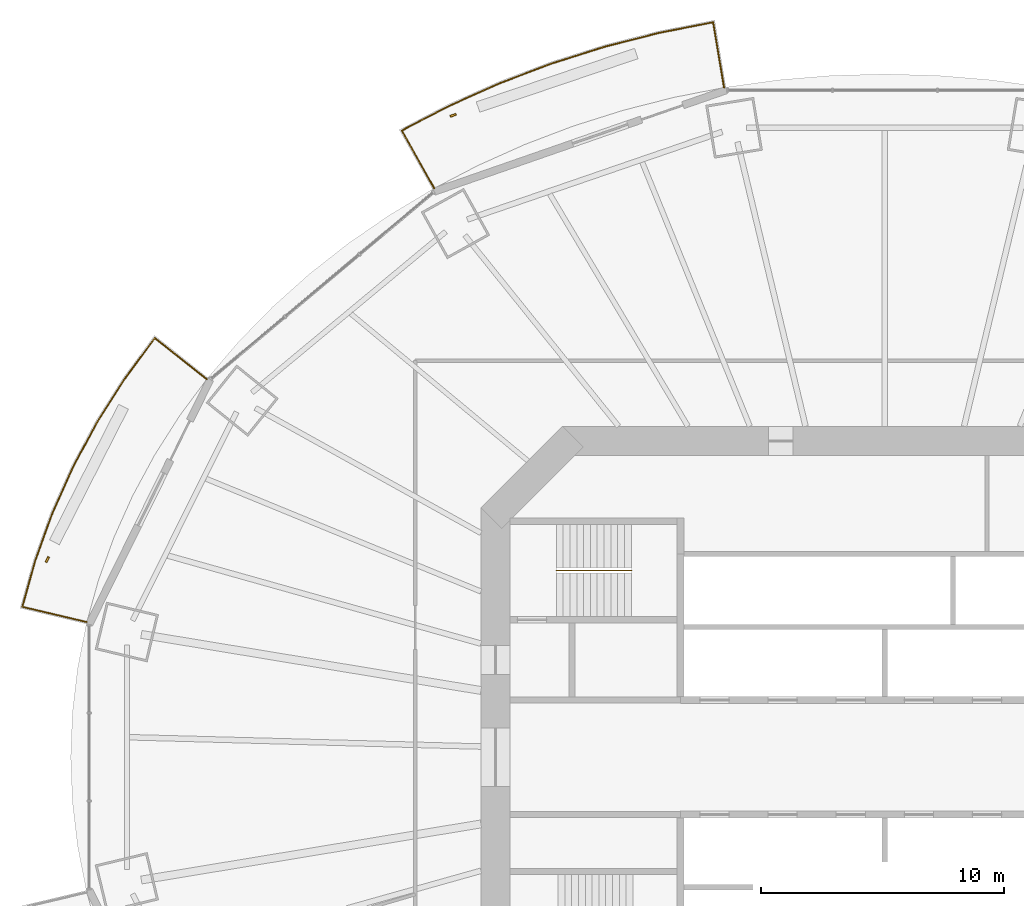
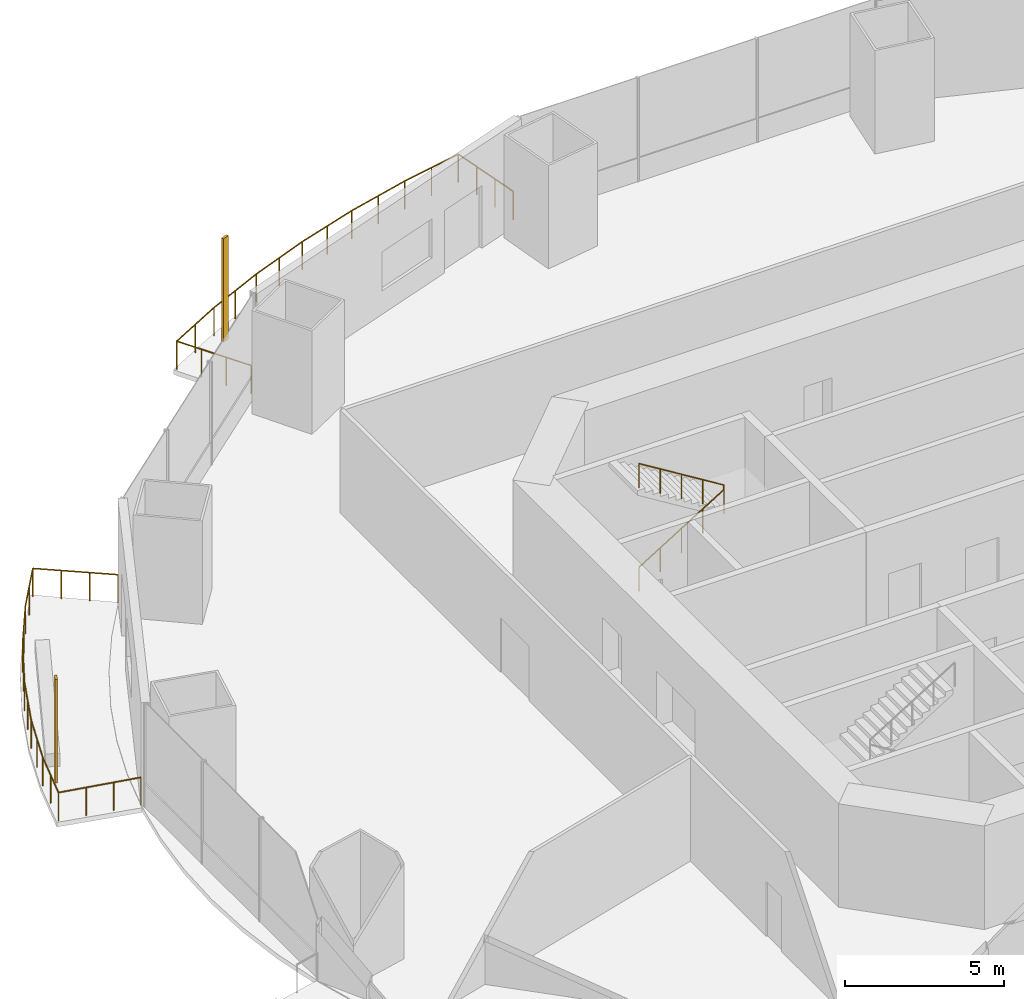
# One storey, part 18 of 20: 3 railings, 2 shading devices.
"""IFC4 building model written with IfcOpenShell, lengths in metres."""

from ifc_helpers import new_model, si_unit, direction, frame, origin, origin_2d, place, context, subcontext, project, spatial, rectangle, circle, extrude, material, material_profile, profile_set, type_object, element, save


model = new_model("IFC4")

# Units and contexts
model_context = context("Model", 3, precision=1e-05, world=origin(), true_north=direction((0.0, 1.0)))
body_context = subcontext(model_context, "Body", "Model", "MODEL_VIEW")
ifc_project = project(units=[si_unit("LENGTHUNIT", "METRE"), si_unit("AREAUNIT", "SQUARE_METRE"), si_unit("VOLUMEUNIT", "CUBIC_METRE"), si_unit("PLANEANGLEUNIT", "RADIAN"), si_unit("MASSUNIT", "GRAM", prefix="KILO")], contexts=[model_context])

# Site, building, storey
site_placement = place(None, origin())
site = spatial("IfcSite", under=ifc_project, at=site_placement, CompositionType="ELEMENT")
building_placement = place(site_placement, origin())
building = spatial("IfcBuilding", under=site, at=building_placement, Name="Marenthal Gate Tower", CompositionType="ELEMENT")
storey_placement = place(building_placement, frame((0.0, 0.0, 136.75)))
storey = spatial("IfcBuildingStorey", under=building, at=storey_placement, Name="L29", CompositionType="ELEMENT", Elevation=136.75)

# Railings
ifc_material_1 = material(Name="Stainless steel", Category="steel")
railing_type_1 = type_object("IfcRailingType", Name="Balcony guard 1100", PredefinedType="GUARDRAIL", material=ifc_material_1)
railing_1_placement = place(storey_placement, frame((-18.520751953125, 23.38427734375, 0.0)))
element("IfcRailing", 1, at=railing_1_placement, inside=storey, type_object=railing_type_1, Name="Balcony guard L29 bay 5", PredefinedType="GUARDRAIL", context=body_context, shape_type="SweptSolid", body=[
    extrude(circle(Radius=0.02392578125, at=origin_2d()), frame((0.0, 0.0, 1.076171875), z_axis=(-0.489304532784, 0.871988782196, -0.014718624977), x_axis=(-0.872083250464, -0.489357542356, 0.0)), (0.0, 0.0, 1.0), 2.72021484375),
    extrude(circle(Radius=0.02392578125, at=origin_2d()), frame((-1.3310546875, 2.3720703125, 1.0361328125), z_axis=(0.887053580422, 0.461666487261, 0.0), x_axis=(-0.461666487261, 0.887053580422, 0.0)), (0.0, 0.0, 1.0), 2.180419921875),
    extrude(circle(Radius=0.02392578125, at=origin_2d()), frame((0.60302734375, 3.378662109375, 1.0361328125), z_axis=(0.912426484208, 0.409240651591, 0.0), x_axis=(-0.409240651591, 0.912426484208, 0.0)), (0.0, 0.0, 1.0), 2.276611328125),
    extrude(circle(Radius=0.02392578125, at=origin_2d()), frame((2.68017578125, 4.310302734375, 1.0361328125), z_axis=(0.934725540452, 0.355370460261, 0.0), x_axis=(-0.355370460261, 0.934725540452, 0.0)), (0.0, 0.0, 1.0), 2.291259765625),
    extrude(circle(Radius=0.02392578125, at=origin_2d()), frame((4.82177734375, 5.12451171875, 1.0361328125), z_axis=(0.953555439672, 0.301217568332, 0.0), x_axis=(-0.301217568332, 0.953555439672, 0.0)), (0.0, 0.0, 1.0), 2.30419921875),
    extrude(circle(Radius=0.02392578125, at=origin_2d()), frame((7.01904296875, 5.818603515625, 1.0361328125), z_axis=(0.969110463154, 0.246627067057, 0.0), x_axis=(-0.246627067057, 0.969110463154, 0.0)), (0.0, 0.0, 1.0), 2.3154296875),
    extrude(circle(Radius=0.02392578125, at=origin_2d()), frame((9.262939453125, 6.3896484375, 1.0361328125), z_axis=(0.981190742026, 0.193040741199, 0.0), x_axis=(-0.193040741199, 0.981190742026, 0.0)), (0.0, 0.0, 1.0), 2.244873046875),
    extrude(circle(Radius=0.02392578125, at=origin_2d()), frame((11.465576171875, 6.822998046875, 1.0361328125), z_axis=(0.164774109377, -0.986221507592, 0.014718384498), x_axis=(0.986328347949, 0.164791959854, 0.0)), (0.0, 0.0, 1.0), 2.720458984375),
    extrude(circle(Radius=0.02099609375, at=origin_2d()), origin(), (0.0, 0.0, 1.0), 1.052001953125),
    extrude(circle(Radius=0.02099609375, at=origin_2d()), frame((-0.443603515625, 0.790771484375, -0.013427734375)), (0.0, 0.0, 1.0), 1.052001953125),
    extrude(circle(Radius=0.02099609375, at=origin_2d()), frame((-0.887451171875, 1.581298828125, -0.026611328125)), (0.0, 0.0, 1.0), 1.052001953125),
    extrude(circle(Radius=0.02099609375, at=origin_2d()), frame((-1.3310546875, 2.3720703125, -0.0400390625)), (0.0, 0.0, 1.0), 1.052001953125),
    extrude(circle(Radius=0.02099609375, at=origin_2d()), frame((-0.364013671875, 2.87548828125, -0.0400390625)), (0.0, 0.0, 1.0), 1.052001953125),
    extrude(circle(Radius=0.02099609375, at=origin_2d()), frame((0.60302734375, 3.378662109375, -0.0400390625)), (0.0, 0.0, 1.0), 1.052001953125),
    extrude(circle(Radius=0.02099609375, at=origin_2d()), frame((1.6416015625, 3.844482421875, -0.0400390625)), (0.0, 0.0, 1.0), 1.052001953125),
    extrude(circle(Radius=0.02099609375, at=origin_2d()), frame((2.68017578125, 4.310302734375, -0.0400390625)), (0.0, 0.0, 1.0), 1.052001953125),
    extrude(circle(Radius=0.02099609375, at=origin_2d()), frame((3.7509765625, 4.71728515625, -0.0400390625)), (0.0, 0.0, 1.0), 1.052001953125),
    extrude(circle(Radius=0.02099609375, at=origin_2d()), frame((4.82177734375, 5.12451171875, -0.0400390625)), (0.0, 0.0, 1.0), 1.052001953125),
    extrude(circle(Radius=0.02099609375, at=origin_2d()), frame((5.92041015625, 5.4716796875, -0.0400390625)), (0.0, 0.0, 1.0), 1.052001953125),
    extrude(circle(Radius=0.02099609375, at=origin_2d()), frame((7.01904296875, 5.818603515625, -0.0400390625)), (0.0, 0.0, 1.0), 1.052001953125),
    extrude(circle(Radius=0.02099609375, at=origin_2d()), frame((8.14111328125, 6.10400390625, -0.0400390625)), (0.0, 0.0, 1.0), 1.052001953125),
    extrude(circle(Radius=0.02099609375, at=origin_2d()), frame((9.262939453125, 6.3896484375, -0.0400390625)), (0.0, 0.0, 1.0), 1.052001953125),
    extrude(circle(Radius=0.02099609375, at=origin_2d()), frame((10.3642578125, 6.6064453125, -0.0400390625)), (0.0, 0.0, 1.0), 1.052001953125),
    extrude(circle(Radius=0.02099609375, at=origin_2d()), frame((11.465576171875, 6.822998046875, -0.0400390625)), (0.0, 0.0, 1.0), 1.052001953125),
    extrude(circle(Radius=0.02099609375, at=origin_2d()), frame((11.614990234375, 5.9287109375, -0.026611328125)), (0.0, 0.0, 1.0), 1.052001953125),
    extrude(circle(Radius=0.02099609375, at=origin_2d()), frame((11.764404296875, 5.034423828125, -0.013427734375)), (0.0, 0.0, 1.0), 1.052001953125),
    extrude(circle(Radius=0.02099609375, at=origin_2d()), frame((11.913818359375, 4.14013671875, 0.0)), (0.0, 0.0, 1.0), 1.052001953125),
])
railing_2_placement = place(storey_placement, frame((-32.800537109375, 5.555419921875, 0.0)))
element("IfcRailing", 2, at=railing_2_placement, inside=storey, type_object=railing_type_1, Name="Balcony guard L29 bay 7", PredefinedType="GUARDRAIL", context=body_context, shape_type="SweptSolid", body=[
    extrude(circle(Radius=0.02392578125, at=origin_2d()), frame((0.0, 0.0, 1.076171875), z_axis=(-0.972966930586, 0.230474963356, -0.014718806071), x_axis=(-0.230499932836, -0.973072341074, 0.0)), (0.0, 0.0, 1.0), 2.72021484375),
    extrude(circle(Radius=0.02392578125, at=origin_2d()), frame((-2.646728515625, 0.626953125, 1.0361328125), z_axis=(0.269159912303, 0.963095499735, 0.0), x_axis=(-0.963095499735, 0.269159912303, 0.0)), (0.0, 0.0, 1.0), 1.984619140625),
    extrude(circle(Radius=0.02392578125, at=origin_2d()), frame((-2.112548828125, 2.538330078125, 1.0361328125), z_axis=(0.339927901039, 0.940451499066, 0.0), x_axis=(-0.940451499066, 0.339927901039, 0.0)), (0.0, 0.0, 1.0), 2.07421875),
    extrude(circle(Radius=0.02392578125, at=origin_2d()), frame((-1.407470703125, 4.489013671875, 1.0361328125), z_axis=(0.409274320643, 0.912411382252, 0.0), x_axis=(-0.912411382252, 0.409274320643, 0.0)), (0.0, 0.0, 1.0), 2.0859375),
    extrude(circle(Radius=0.02392578125, at=origin_2d()), frame((-0.5537109375, 6.392333984375, 1.0361328125), z_axis=(0.475084098287, 0.879940395456, 0.0), x_axis=(-0.879940395456, 0.475084098287, 0.0)), (0.0, 0.0, 1.0), 2.099853515625),
    extrude(circle(Radius=0.02392578125, at=origin_2d()), frame((0.44384765625, 8.239990234375, 1.0361328125), z_axis=(0.537211554798, 0.843447535649, 0.0), x_axis=(-0.843447535649, 0.537211554798, 0.0)), (0.0, 0.0, 1.0), 2.114990234375),
    extrude(circle(Radius=0.02392578125, at=origin_2d()), frame((1.580078125, 10.02392578125, 1.0361328125), z_axis=(0.594330839548, 0.80422064955, 0.0), x_axis=(-0.80422064955, 0.594330839548, 0.0)), (0.0, 0.0, 1.0), 2.0517578125),
    extrude(circle(Radius=0.02392578125, at=origin_2d()), frame((2.799560546875, 11.674072265625, 1.0361328125), z_axis=(0.782497400994, -0.622479868482, 0.014718382127), x_axis=(0.622547303586, 0.782582171275, 0.0)), (0.0, 0.0, 1.0), 2.720458984375),
    extrude(circle(Radius=0.02099609375, at=origin_2d()), origin(), (0.0, 0.0, 1.0), 1.052001953125),
    extrude(circle(Radius=0.02099609375, at=origin_2d()), frame((-0.88232421875, 0.208984375, -0.013427734375)), (0.0, 0.0, 1.0), 1.052001953125),
    extrude(circle(Radius=0.02099609375, at=origin_2d()), frame((-1.764404296875, 0.41796875, -0.026611328125)), (0.0, 0.0, 1.0), 1.052001953125),
    extrude(circle(Radius=0.02099609375, at=origin_2d()), frame((-2.646728515625, 0.626953125, -0.0400390625)), (0.0, 0.0, 1.0), 1.052001953125),
    extrude(circle(Radius=0.02099609375, at=origin_2d()), frame((-2.379638671875, 1.58251953125, -0.0400390625)), (0.0, 0.0, 1.0), 1.052001953125),
    extrude(circle(Radius=0.02099609375, at=origin_2d()), frame((-2.112548828125, 2.538330078125, -0.0400390625)), (0.0, 0.0, 1.0), 1.052001953125),
    extrude(circle(Radius=0.02099609375, at=origin_2d()), frame((-1.760009765625, 3.513671875, -0.0400390625)), (0.0, 0.0, 1.0), 1.052001953125),
    extrude(circle(Radius=0.02099609375, at=origin_2d()), frame((-1.407470703125, 4.489013671875, -0.0400390625)), (0.0, 0.0, 1.0), 1.052001953125),
    extrude(circle(Radius=0.02099609375, at=origin_2d()), frame((-0.98046875, 5.440673828125, -0.0400390625)), (0.0, 0.0, 1.0), 1.052001953125),
    extrude(circle(Radius=0.02099609375, at=origin_2d()), frame((-0.5537109375, 6.392333984375, -0.0400390625)), (0.0, 0.0, 1.0), 1.052001953125),
    extrude(circle(Radius=0.02099609375, at=origin_2d()), frame((-0.054931640625, 7.316162109375, -0.0400390625)), (0.0, 0.0, 1.0), 1.052001953125),
    extrude(circle(Radius=0.02099609375, at=origin_2d()), frame((0.44384765625, 8.239990234375, -0.0400390625)), (0.0, 0.0, 1.0), 1.052001953125),
    extrude(circle(Radius=0.02099609375, at=origin_2d()), frame((1.011962890625, 9.1318359375, -0.0400390625)), (0.0, 0.0, 1.0), 1.052001953125),
    extrude(circle(Radius=0.02099609375, at=origin_2d()), frame((1.580078125, 10.02392578125, -0.0400390625)), (0.0, 0.0, 1.0), 1.052001953125),
    extrude(circle(Radius=0.02099609375, at=origin_2d()), frame((2.18994140625, 10.84912109375, -0.0400390625)), (0.0, 0.0, 1.0), 1.052001953125),
    extrude(circle(Radius=0.02099609375, at=origin_2d()), frame((2.799560546875, 11.674072265625, -0.0400390625)), (0.0, 0.0, 1.0), 1.052001953125),
    extrude(circle(Radius=0.02099609375, at=origin_2d()), frame((3.509033203125, 11.109619140625, -0.026611328125)), (0.0, 0.0, 1.0), 1.052001953125),
    extrude(circle(Radius=0.02099609375, at=origin_2d()), frame((4.21875, 10.545166015625, -0.013427734375)), (0.0, 0.0, 1.0), 1.052001953125),
    extrude(circle(Radius=0.02099609375, at=origin_2d()), frame((4.92822265625, 9.980712890625, 0.0)), (0.0, 0.0, 1.0), 1.052001953125),
])
ifc_material_2 = material(Name="Stainless steel", Category="steel")
railing_type_2 = type_object("IfcRailingType", Name="Stair handrail", PredefinedType="HANDRAIL", material=ifc_material_2)
railing_3_placement = place(storey_placement, frame((-13.5, 7.675048828125, 0.1728515625)))
element("IfcRailing", 3, at=railing_3_placement, inside=storey, type_object=railing_type_2, Name="Handrail ST1", PredefinedType="HANDRAIL", context=body_context, shape_type="SweptSolid", body=[
    extrude(circle(Radius=0.0224609375, at=origin_2d()), frame((0.0, 0.0, 0.927490234375), z_axis=(0.850835241893, 0.0, 0.525432575268), x_axis=(0.0, 1.0, 0.0)), (0.0, 0.0, 1.0), 3.6201171875),
    extrude(circle(Radius=0.0224609375, at=origin_2d()), frame((3.080078125, 0.0, 2.82958984375), z_axis=(0.0, 0.0, 1.0), x_axis=(1.0, 0.0, 0.0)), (0.0, 0.0, 1.0), 0.1728515625),
    extrude(circle(Radius=0.0224609375, at=origin_2d()), frame((3.080078125, 0.0, 3.00244140625), z_axis=(-0.850835241893, 0.0, 0.525432575268), x_axis=(0.0, -1.0, 0.0)), (0.0, 0.0, 1.0), 3.6201171875),
    extrude(circle(Radius=0.02001953125, at=origin_2d()), origin(), (0.0, 0.0, 1.0), 0.905029296875),
    extrude(circle(Radius=0.02001953125, at=origin_2d()), frame((0.77001953125, 0.0, 0.4755859375)), (0.0, 0.0, 1.0), 0.905029296875),
    extrude(circle(Radius=0.02001953125, at=origin_2d()), frame((1.5400390625, 0.0, 0.951171875)), (0.0, 0.0, 1.0), 0.905029296875),
    extrude(circle(Radius=0.02001953125, at=origin_2d()), frame((2.31005859375, 0.0, 1.426513671875)), (0.0, 0.0, 1.0), 0.905029296875),
    extrude(circle(Radius=0.02001953125, at=origin_2d()), frame((3.080078125, 0.0, 1.902099609375)), (0.0, 0.0, 1.0), 0.905029296875),
    extrude(circle(Radius=0.02001953125, at=origin_2d()), frame((3.080078125, 0.0, 2.074951171875)), (0.0, 0.0, 1.0), 0.905029296875),
    extrude(circle(Radius=0.02001953125, at=origin_2d()), frame((2.31005859375, 0.0, 2.550537109375)), (0.0, 0.0, 1.0), 0.905029296875),
    extrude(circle(Radius=0.02001953125, at=origin_2d()), frame((1.5400390625, 0.0, 3.02587890625)), (0.0, 0.0, 1.0), 0.905029296875),
    extrude(circle(Radius=0.02001953125, at=origin_2d()), frame((0.77001953125, 0.0, 3.50146484375)), (0.0, 0.0, 1.0), 0.905029296875),
    extrude(circle(Radius=0.02001953125, at=origin_2d()), frame((0.0, 0.0, 3.97705078125)), (0.0, 0.0, 1.0), 0.905029296875),
])

# Shading devices
ifc_material_3 = material(Name="Terracotta", Category="masonry")
ifc_material_profile = material_profile(ifc_material_3, rectangle(XDim=0.25, YDim=0.080078125, at=origin_2d()), Name="Terracotta baguette 250x80")
ifc_profile_set = profile_set([ifc_material_profile], Name="Terracotta")
shading_device_type = type_object("IfcShadingDeviceType", Name="Terracotta BAGUETTE SCREEN 250x80", PredefinedType="USERDEFINED", material=ifc_profile_set)
for number, where, z_axis, x_axis, name in (
    (4, (-17.740478515625, 26.37939453125, -0.0400390625), (0.0, 0.0, 1.0), (-0.944551667682, -0.328362828405, 0.0), "Terracotta BAGUETTE L29 bay 5R"),
    (5, (-34.416748046875, 8.12548828125, -0.0400390625), (0.0, 0.0, 1.0), (-0.442571643987, -0.896733148678, 0.0), "Terracotta BAGUETTE L29 bay 7R"),
):
    element("IfcShadingDevice", number, at=place(storey_placement, frame(where, z_axis=z_axis, x_axis=x_axis)), inside=storey, type_object=shading_device_type, Name=name, ObjectType="BAGUETTE SCREEN", PredefinedType="USERDEFINED", context=body_context, shape_type="SweptSolid", body=[
        extrude(rectangle(XDim=0.25, YDim=0.080078125, at=origin_2d()), origin(), (0.0, 0.0, 1.0), 3.969970703125),
    ])

save(model, "model.ifc")
